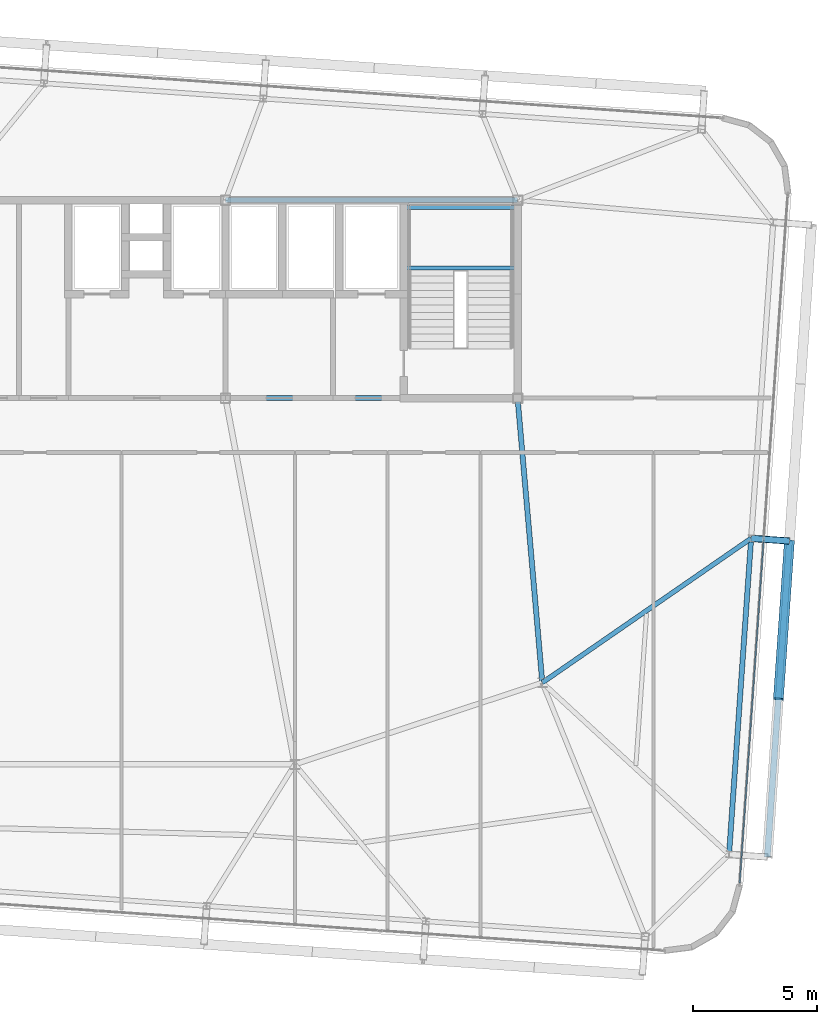
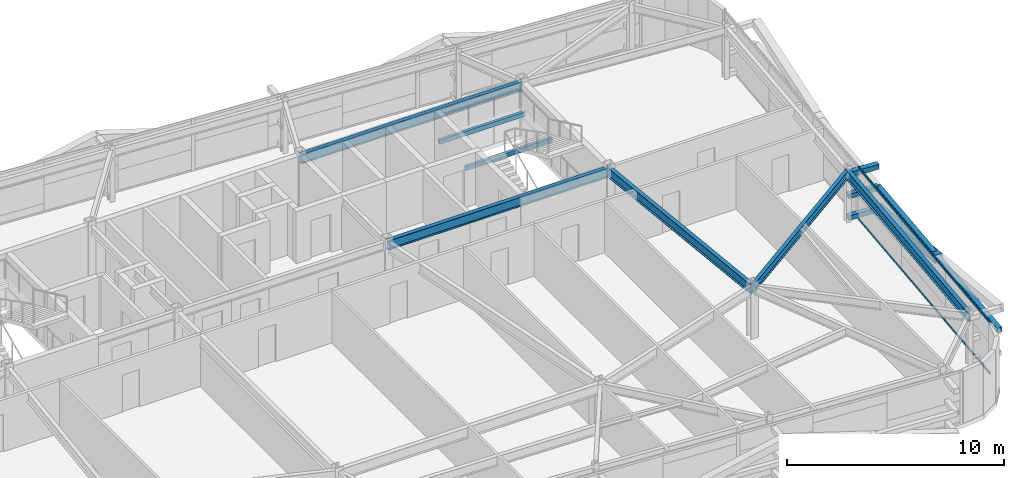
# One storey, part 16 of 39: 7 beams, 7 members, 1 element without a shape of its own.
"""IFC4 building model written with IfcOpenShell, lengths in metres."""

from ifc_helpers import new_model, si_unit, direction, frame, origin, origin_2d, place, context, subcontext, project, spatial, hollow_rectangle, i_section, extrude, source, transform, mapped, material, layer, layer_set, material_profile, profile_set, type_object, element, aggregate, save


model = new_model("IFC4")

# Units and contexts
model_context = context("Model", 3, precision=1e-05, world=origin(), true_north=direction((0.0, 1.0)))
body_context = subcontext(model_context, "Body", "Model", "MODEL_VIEW")
ifc_project = project(units=[si_unit("LENGTHUNIT", "METRE"), si_unit("AREAUNIT", "SQUARE_METRE"), si_unit("VOLUMEUNIT", "CUBIC_METRE"), si_unit("PLANEANGLEUNIT", "RADIAN"), si_unit("MASSUNIT", "GRAM", prefix="KILO")], contexts=[model_context])

# Site, building, storey
site_placement = place(None, origin())
site = spatial("IfcSite", under=ifc_project, at=site_placement, CompositionType="ELEMENT")
building_placement = place(site_placement, origin())
building = spatial("IfcBuilding", under=site, at=building_placement, Name="Taldren Reach Tower", CompositionType="ELEMENT")
storey_placement = place(building_placement, frame((0.0, 0.0, 155.050048828125)))
storey = spatial("IfcBuildingStorey", under=building, at=storey_placement, Name="L47", CompositionType="ELEMENT", Elevation=155.050048828125)

# Beams
ifc_material_1 = material(Name="Steel Gr 350 (350PLUS)", Category="steel")
ifc_material_profile_1 = material_profile(ifc_material_1, i_section(OverallWidth=0.208984375, OverallDepth=0.532958984375, WebThickness=0.01025390625, FlangeThickness=0.015625, at=origin_2d()), Name="530UB92.4")
ifc_profile_set_1 = profile_set([ifc_material_profile_1], Name="Steel Gr 350 (350PLUS)")
beam_type_1 = type_object("IfcBeamType", Name="BM-UB530A", PredefinedType="BEAM", material=ifc_profile_set_1)
shared_shape_1 = source(origin(), body_context, "Body", "SweptSolid", [
    extrude(i_section(OverallWidth=0.208984375, OverallDepth=0.532958984375, WebThickness=0.01025390625, FlangeThickness=0.015625, at=origin_2d()), origin(), (0.0, 0.0, 1.0), 11.800048828125),
])
for number, where, z_axis, x_axis, name in (
    (1, (39.199951171875, 24.0, 2.663330078125), (1.0, 0.0, 0.0), (0.0, 1.0, 0.0), "Core-spine girder L47-SP03"),
    (2, (39.199951171875, 32.0, 2.663330078125), (1.0, 0.0, 0.0), (0.0, 1.0, 0.0), "Core-spine girder L47-SP06"),
):
    element("IfcBeam", number, at=place(storey_placement, frame(where, z_axis=z_axis, x_axis=x_axis)), inside=storey, type_object=beam_type_1, Name=name, PredefinedType="BEAM", context=body_context, shape_type="MappedRepresentation", body=[
        mapped(shared_shape_1, transform((0.0, 0.0, 0.0), scale=1.0)),
    ])
shared_shape_2 = source(origin(), body_context, "Body", "SweptSolid", [
    extrude(i_section(OverallWidth=0.208984375, OverallDepth=0.532958984375, WebThickness=0.01025390625, FlangeThickness=0.015625, at=origin_2d()), origin(), (0.0, 0.0, 1.0), 11.54345703125),
])
beam_1_placement = place(storey_placement, frame((52.0, 12.5, 2.663330078125), z_axis=(-0.086629616365, 0.996240588196, 0.0), x_axis=(-0.996240588196, -0.086629616365, 0.0)))
element("IfcBeam", 3, at=beam_1_placement, inside=storey, type_object=beam_type_1, Name="Core-spine girder L47-SP13", PredefinedType="BEAM", context=body_context, shape_type="MappedRepresentation", body=[
    mapped(shared_shape_2, transform((0.0, 0.0, 0.0), scale=1.0)),
])

# Members
ifc_material_2 = material(Name="Steel Gr 450 (C450L0)", Category="steel")
ifc_material_profile_2 = material_profile(ifc_material_2, hollow_rectangle(XDim=0.27490234375, YDim=0.27490234375, WallThickness=0.00927734375, at=origin_2d()), Name="275x275x9.3SHS")
ifc_profile_set_2 = profile_set([ifc_material_profile_2], Name="Steel Gr 450 (C450L0)")
member_type_1 = type_object("IfcMemberType", Name="MB-TIE273", PredefinedType="STRUT", material=ifc_profile_set_2)
shared_shape_3 = source(origin(), body_context, "Body", "SweptSolid", [
    extrude(hollow_rectangle(XDim=0.27490234375, YDim=0.27490234375, WallThickness=0.00927734375, at=origin_2d()), origin(), (0.0, 0.0, 1.0), 1.5498046875),
])
member_1_placement = place(storey_placement, frame((60.438232421875, 18.331787109375, 2.64990234375), z_axis=(0.997562367434, -0.069780535098, 0.0), x_axis=(0.069780535098, 0.997562367434, 0.0)))
element("IfcMember", 4, at=member_1_placement, inside=storey, type_object=member_type_1, Name="Exoskeleton diaphragm tie strut B3-E2 L47", PredefinedType="STRUT", context=body_context, shape_type="MappedRepresentation", body=[
    mapped(shared_shape_3, transform((0.0, 0.0, 0.0), scale=1.0)),
])
ifc_material_3 = material(Name="Steel Gr 350 (C350L0)", Category="steel")
ifc_material_profile_3 = material_profile(ifc_material_3, hollow_rectangle(XDim=0.25, YDim=0.25, WallThickness=0.010009765625, at=origin_2d()), Name="250x250x10.0SHS")
ifc_profile_set_3 = profile_set([ifc_material_profile_3], Name="Steel Gr 350 (C350L0)")
member_type_2 = type_object("IfcMemberType", Name="MB-POST250", PredefinedType="POST", material=ifc_profile_set_3)
shared_shape_4 = source(origin(), body_context, "Body", "SweptSolid", [
    extrude(hollow_rectangle(XDim=0.25, YDim=0.25, WallThickness=0.010009765625, at=origin_2d()), origin(), (0.0, 0.0, 1.0), 1.5498046875),
])
for number, where, z_axis, x_axis, name in (
    (5, (60.438232421875, 18.331787109375, 0.219970703125), (0.997562367434, -0.069780535098, 0.0), (0.069780535098, 0.997562367434, 0.0), "Exoskeleton base diaphragm tie strut B3-E2 L47"),
    (6, (60.438232421875, 18.331787109375, 1.43505859375), (0.997562367434, -0.069780535098, 0.0), (0.069780535098, 0.997562367434, 0.0), "Exoskeleton mid-tier diaphragm tie B3-E2 L47"),
):
    element("IfcMember", number, at=place(storey_placement, frame(where, z_axis=z_axis, x_axis=x_axis)), inside=storey, type_object=member_type_2, Name=name, PredefinedType="POST", context=body_context, shape_type="MappedRepresentation", body=[
        mapped(shared_shape_4, transform((0.0, 0.0, 0.0), scale=1.0)),
    ])

# Beams
ifc_material_profile_4 = material_profile(ifc_material_1, i_section(OverallWidth=0.208984375, OverallDepth=0.528076171875, WebThickness=0.009521484375, FlangeThickness=0.01318359375, at=origin_2d()), Name="530UB82.0")
ifc_profile_set_4 = profile_set([ifc_material_profile_4], Name="Steel Gr 350 (350PLUS)")
beam_type_2 = type_object("IfcBeamType", Name="SP-UB530B", PredefinedType="SPANDREL", material=ifc_profile_set_4)
shared_shape_5 = source(origin(), body_context, "Body", "SweptSolid", [
    extrude(i_section(OverallWidth=0.208984375, OverallDepth=0.528076171875, WebThickness=0.009521484375, FlangeThickness=0.01318359375, at=origin_2d()), origin(), (0.0, 0.0, 1.0), 12.80029296875),
])
beam_2_placement = place(storey_placement, frame((59.54541015625, 5.562744140625, 2.666015625), z_axis=(0.069750549628, 0.997564464497, 0.0), x_axis=(-0.997564464497, 0.069750549628, 0.0)))
element("IfcBeam", 7, at=beam_2_placement, inside=storey, type_object=beam_type_2, Name="Perimeter spandrel B3 E1-E2 L47", PredefinedType="SPANDREL", context=body_context, shape_type="MappedRepresentation", body=[
    mapped(shared_shape_5, transform((0.0, 0.0, 0.0), scale=1.0)),
])
ifc_material_profile_5 = material_profile(ifc_material_1, i_section(OverallWidth=0.19091796875, OverallDepth=0.4599609375, WebThickness=0.010009765625, FlangeThickness=0.01611328125, at=origin_2d()), Name="460UB82.1")
ifc_profile_set_5 = profile_set([ifc_material_profile_5], Name="Steel Gr 350 (350PLUS)")
beam_type_3 = type_object("IfcBeamType", Name="BM-UB460A", PredefinedType="BEAM", material=ifc_profile_set_5)
shared_shape_6 = source(origin(), body_context, "Body", "SweptSolid", [
    extrude(i_section(OverallWidth=0.19091796875, OverallDepth=0.4599609375, WebThickness=0.010009765625, FlangeThickness=0.01611328125, at=origin_2d()), origin(), (0.0, 0.0, 1.0), 10.25732421875),
])
beam_3_placement = place(storey_placement, frame((52.0, 12.5, 2.699951171875), z_axis=(0.822651197727, 0.568546398175, 0.0), x_axis=(-0.568546398175, 0.822651197727, 0.0)))
element("IfcBeam", 8, at=beam_3_placement, inside=storey, type_object=beam_type_3, Name="Primary floor girder B3-E2 L47", PredefinedType="BEAM", context=body_context, shape_type="MappedRepresentation", body=[
    mapped(shared_shape_6, transform((0.0, 0.0, 0.0), scale=1.0)),
])

# Members
shared_shape_7 = source(origin(), body_context, "Body", "SweptSolid", [
    extrude(hollow_rectangle(XDim=0.25, YDim=0.25, WallThickness=0.010009765625, at=origin_2d()), origin(), (0.0, 0.0, 1.0), 12.800048828125),
])
member_2_placement = place(storey_placement, frame((61.091552734375, 5.454833984375, 1.43505859375), z_axis=(0.069751876777, 0.9975643717, 0.0), x_axis=(-0.9975643717, 0.069751876777, 0.0)))
element("IfcMember", 9, at=member_2_placement, inside=storey, type_object=member_type_2, Name="Exoskeleton mid-height ring chord B3-E1 L47", PredefinedType="POST", context=body_context, shape_type="MappedRepresentation", body=[
    mapped(shared_shape_7, transform((0.0, 0.0, 0.0), scale=1.0)),
])
ifc_material_profile_6 = material_profile(ifc_material_2, hollow_rectangle(XDim=0.409912109375, YDim=0.409912109375, WallThickness=0.01611328125, at=origin_2d()), Name="410x410x16.0SHS")
ifc_profile_set_6 = profile_set([ifc_material_profile_6], Name="Steel Gr 450 (C450L0)")
member_type_3 = type_object("IfcMemberType", Name="MB-EXO406", PredefinedType="BRACE", material=ifc_profile_set_6)
shared_shape_8 = source(origin(), body_context, "Body", "SweptSolid", [
    extrude(hollow_rectangle(XDim=0.409912109375, YDim=0.409912109375, WallThickness=0.01611328125, at=origin_2d()), origin(), (0.0, 0.0, 1.0), 6.514404296875),
])
member_3_placement = place(storey_placement, frame((61.984375, 18.2236328125, 0.219970703125), z_axis=(-0.068507825937, -0.980059166346, 0.186522674885), x_axis=(0.997565791441, -0.069731569223, 0.0)))
element("IfcMember", 10, at=member_3_placement, inside=storey, type_object=member_type_3, Name="Exoskeleton Diagrid Brace B3-E1 L47", PredefinedType="BRACE", context=body_context, shape_type="MappedRepresentation", body=[
    mapped(shared_shape_8, transform((0.0, 0.0, 0.0), scale=1.0)),
])

# Curtain wall, members
ifc_material_4 = material(Name="Aluminium and Low-E Glass Unitised System", Category="aluminium")
ifc_layer = layer(ifc_material_4, 0.159912109375)
ifc_layer_set = layer_set([ifc_layer], Name="Aluminium and Low-E Glass Unitised System")
curtain_wall_type = type_object("IfcCurtainWallType", Name="CW-SYS-4", PredefinedType="NOTDEFINED", material=ifc_layer_set)
curtain_wall_placement = place(storey_placement, origin())
curtain_wall = element("IfcCurtainWall", 11, at=curtain_wall_placement, inside=storey, type_object=curtain_wall_type, Name="Unitised curtain wall CW-L47-E", PredefinedType="NOTDEFINED")
ifc_material_5 = material(Name="Anodised Aluminium 6063-T6", Category="aluminium")
ifc_material_profile_7 = material_profile(ifc_material_5, hollow_rectangle(XDim=0.054931640625, YDim=0.1201171875, WallThickness=0.0029296875, at=origin_2d()), Name="ALU-120x55x3RHS")
ifc_profile_set_7 = profile_set([ifc_material_profile_7], Name="Anodised Aluminium 6063-T6")
member_type_4 = type_object("IfcMemberType", Name="CW-TRN-135", PredefinedType="USERDEFINED", material=ifc_profile_set_7)
shared_shape_9 = source(origin(), body_context, "Body", "SweptSolid", [
    extrude(hollow_rectangle(XDim=0.054931640625, YDim=0.1201171875, WallThickness=0.0029296875, at=origin_2d()), origin(), (0.0, 0.0, 1.0), 13.89501953125),
])
member_4_placement = place(storey_placement, frame((59.975341796875, 4.400146484375, 0.02734375), z_axis=(0.069754817075, 0.997564166104, 0.0), x_axis=(-0.997564166104, 0.069754817075, 0.0)))
member_4 = element("IfcMember", 12, at=member_4_placement, type_object=member_type_4, Name="CW-4 transom 1.1", ObjectType="TRANSOM", PredefinedType="USERDEFINED", context=body_context, shape_type="MappedRepresentation", body=[
    mapped(shared_shape_9, transform((0.0, 0.0, 0.0), scale=1.0)),
])
member_5_placement = place(storey_placement, frame((59.975341796875, 4.400146484375, 2.90234375), z_axis=(0.069754817075, 0.997564166104, 0.0), x_axis=(-0.997564166104, 0.069754817075, 0.0)))
member_5 = element("IfcMember", 13, at=member_5_placement, type_object=member_type_4, Name="CW-4 transom 1.2", ObjectType="TRANSOM", PredefinedType="USERDEFINED", context=body_context, shape_type="MappedRepresentation", body=[
    mapped(shared_shape_9, transform((0.0, 0.0, 0.0), scale=1.0)),
])
aggregate(curtain_wall, [member_4, member_5])

# Beams
ifc_material_profile_8 = material_profile(ifc_material_3, hollow_rectangle(XDim=0.14990234375, YDim=0.25, WallThickness=0.009033203125, at=origin_2d()), Name="250x150x9.0RHS")
ifc_profile_set_8 = profile_set([ifc_material_profile_8], Name="Steel Gr 350 (C350L0)")
beam_type_4 = type_object("IfcBeamType", Name="LN-RHS250", PredefinedType="LINTEL", material=ifc_profile_set_8)
shared_shape_10 = source(origin(), body_context, "Body", "SweptSolid", [
    extrude(hollow_rectangle(XDim=0.14990234375, YDim=0.25, WallThickness=0.009033203125, at=origin_2d()), origin(), (0.0, 0.0, 1.0), 4.60009765625),
])
for number, where, z_axis, x_axis, name in (
    (14, (46.39990234375, 29.2548828125, 1.27001953125), (1.0, 0.0, 0.0), (0.0, 1.0, 0.0), "Stair half-landing support beam ST2-L47-1"),
    (15, (46.39990234375, 31.699951171875, 1.27001953125), (1.0, 0.0, 0.0), (0.0, 1.0, 0.0), "Stair half-landing support beam ST2-L47-2"),
):
    element("IfcBeam", number, at=place(storey_placement, frame(where, z_axis=z_axis, x_axis=x_axis)), inside=storey, type_object=beam_type_4, Name=name, PredefinedType="LINTEL", context=body_context, shape_type="MappedRepresentation", body=[
        mapped(shared_shape_10, transform((0.0, 0.0, 0.0), scale=1.0)),
    ])

save(model, "model.ifc")
